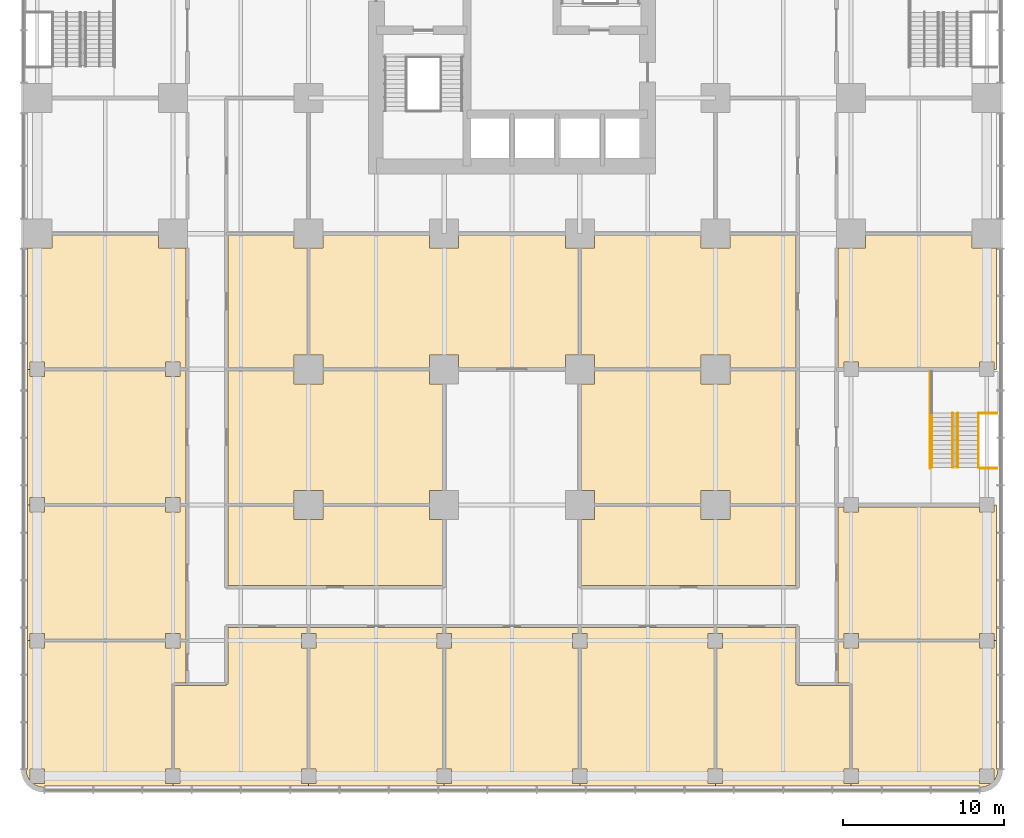
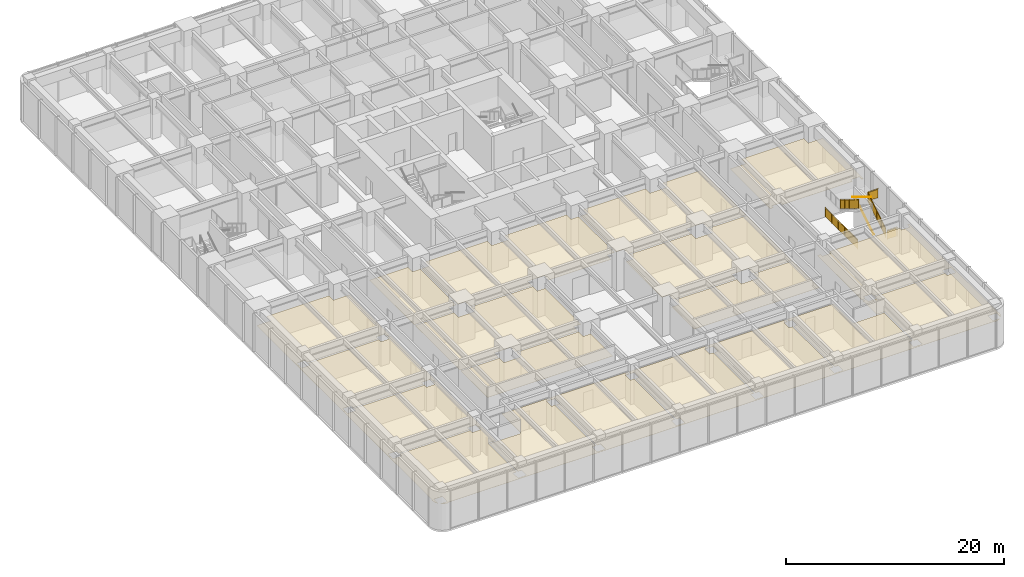
# One storey, part 16 of 19: 19 coverings, 7 railings.
"""IFC4 building model written with IfcOpenShell, lengths in metres."""

from ifc_helpers import new_model, si_unit, direction, frame, origin, origin_2d, place, context, subcontext, project, spatial, polyline, circle, outline, extrude, material, layer, layer_set, type_object, element, save


model = new_model("IFC4")

# Units and contexts
model_context = context("Model", 3, precision=1e-05, world=origin(), true_north=direction((0.0, 1.0)))
body_context = subcontext(model_context, "Body", "Model", "MODEL_VIEW")
ifc_project = project(units=[si_unit("LENGTHUNIT", "METRE"), si_unit("AREAUNIT", "SQUARE_METRE"), si_unit("VOLUMEUNIT", "CUBIC_METRE"), si_unit("PLANEANGLEUNIT", "RADIAN"), si_unit("MASSUNIT", "GRAM", prefix="KILO")], contexts=[model_context])

# Site, building, storey
site_placement = place(None, origin())
site = spatial("IfcSite", under=ifc_project, at=site_placement, CompositionType="ELEMENT")
building_placement = place(site_placement, origin())
building = spatial("IfcBuilding", under=site, at=building_placement, Name="Torre Alcanfor", CompositionType="ELEMENT")
storey_placement = place(building_placement, frame((0.0, 0.0, 6.0)))
storey = spatial("IfcBuildingStorey", under=building, at=storey_placement, Name="L01", CompositionType="ELEMENT", Elevation=6.0)

# Coverings
ifc_material_1 = material(Name="Mineral fibre acoustic tile 20 mm, NRC 0.70, on exposed suspension grid", Category="mineral fibre")
ifc_layer = layer(ifc_material_1, 0.02001953125)
ifc_layer_set = layer_set([ifc_layer], Name="Acoustic suspended ceiling 600x600 mineral fibre tile")
covering_type = type_object("IfcCoveringType", Name="Acoustic suspended ceiling 600x600 mineral fibre tile", PredefinedType="CEILING", material=ifc_layer_set)
covering_1_placement = place(storey_placement, frame((0.0, 0.0, 2.75)))
element("IfcCovering", 1, at=covering_1_placement, inside=storey, type_object=covering_type, Name="Ceiling L01-01", PredefinedType="CEILING", context=body_context, shape_type="SweptSolid", body=[
    extrude(outline(polyline([(8.85009765625, -17.25), (8.39990234375, -17.25), (8.39990234375, -17.425048828125), (16.800048828125, -17.425048828125), (16.800048828125, -17.25), (16.35009765625, -17.25), (16.35009765625, -16.35009765625), (16.72509765625, -16.35009765625), (16.72509765625, -8.85009765625), (16.35009765625, -8.85009765625), (16.35009765625, -7.949951171875), (16.72509765625, -7.949951171875), (16.72509765625, -7.60009765625), (11.800048828125, -7.60009765625), (11.800048828125, -11.10009765625), (11.699951171875, -11.10009765625), (11.699951171875, -11.199951171875), (9.300048828125, -11.199951171875), (9.300048828125, -11.175048828125), (8.47509765625, -11.175048828125), (8.47509765625, -16.35009765625), (8.85009765625, -16.35009765625), (8.85009765625, -17.25)])), origin(), (0.0, 0.0, 1.0), 0.02001953125),
])
covering_2_placement = place(storey_placement, frame((0.0, 0.0, 2.75)))
element("IfcCovering", 2, at=covering_2_placement, inside=storey, type_object=covering_type, Name="Ceiling L01-02", PredefinedType="CEILING", context=body_context, shape_type="SweptSolid", body=[
    extrude(outline(polyline([(49.949951171875, -17.25), (49.949951171875, -16.35009765625), (50.324951171875, -16.35009765625), (50.324951171875, -11.175048828125), (49.5, -11.175048828125), (49.5, -11.199951171875), (47.10009765625, -11.199951171875), (47.10009765625, -11.10009765625), (47.0, -11.10009765625), (47.0, -7.60009765625), (42.074951171875, -7.60009765625), (42.074951171875, -7.949951171875), (42.449951171875, -7.949951171875), (42.449951171875, -8.85009765625), (42.074951171875, -8.85009765625), (42.074951171875, -16.35009765625), (42.449951171875, -16.35009765625), (42.449951171875, -17.25), (42.0, -17.25), (42.0, -17.425048828125), (50.39990234375, -17.425048828125), (50.39990234375, -17.25), (49.949951171875, -17.25)])), origin(), (0.0, 0.0, 1.0), 0.02001953125),
])
covering_3_placement = place(storey_placement, frame((0.0, 0.0, 2.75)))
element("IfcCovering", 3, at=covering_3_placement, inside=storey, type_object=covering_type, Name="Ceiling L01-03", PredefinedType="CEILING", context=body_context, shape_type="SweptSolid", body=[
    extrude(outline(polyline([(-0.659912109375, -16.68408203125), (-0.55029296875, -16.94873046875), (-0.449951171875, -17.079345703125), (-0.449951171875, -16.35009765625), (0.449951171875, -16.35009765625), (0.449951171875, -17.25), (-0.279296875, -17.25), (-0.148681640625, -17.350341796875), (0.115966796875, -17.4599609375), (0.39990234375, -17.497314453125), (0.39990234375, -17.425048828125), (8.39990234375, -17.425048828125), (8.39990234375, -17.25), (7.949951171875, -17.25), (7.949951171875, -16.35009765625), (8.324951171875, -16.35009765625), (8.324951171875, -11.10009765625), (8.39990234375, -11.10009765625), (8.39990234375, -11.02490234375), (9.199951171875, -11.02490234375), (9.199951171875, -8.47509765625), (8.85009765625, -8.47509765625), (8.85009765625, -8.85009765625), (7.949951171875, -8.85009765625), (7.949951171875, -8.47509765625), (0.449951171875, -8.47509765625), (0.449951171875, -8.85009765625), (-0.449951171875, -8.85009765625), (-0.449951171875, -8.39990234375), (-0.625, -8.39990234375), (-0.625, -16.39990234375), (-0.697509765625, -16.39990234375), (-0.659912109375, -16.68408203125)])), origin(), (0.0, 0.0, 1.0), 0.02001953125),
])
covering_4_placement = place(storey_placement, frame((0.0, 0.0, 2.75)))
element("IfcCovering", 4, at=covering_4_placement, inside=storey, type_object=covering_type, Name="Ceiling L01-04", PredefinedType="CEILING", context=body_context, shape_type="SweptSolid", body=[
    extrude(outline(polyline([(59.25, -16.35009765625), (59.25, -17.079345703125), (59.350341796875, -16.94873046875), (59.4599609375, -16.68408203125), (59.497314453125, -16.39990234375), (59.425048828125, -16.39990234375), (59.425048828125, -8.39990234375), (59.25, -8.39990234375), (59.25, -8.85009765625), (58.35009765625, -8.85009765625), (58.35009765625, -8.47509765625), (50.85009765625, -8.47509765625), (50.85009765625, -8.85009765625), (49.949951171875, -8.85009765625), (49.949951171875, -8.47509765625), (49.60009765625, -8.47509765625), (49.60009765625, -11.02490234375), (50.39990234375, -11.02490234375), (50.39990234375, -11.10009765625), (50.47509765625, -11.10009765625), (50.47509765625, -16.35009765625), (50.85009765625, -16.35009765625), (50.85009765625, -17.25), (50.39990234375, -17.25), (50.39990234375, -17.425048828125), (58.39990234375, -17.425048828125), (58.39990234375, -17.497314453125), (58.68408203125, -17.4599609375), (58.94873046875, -17.350341796875), (59.079345703125, -17.25), (58.35009765625, -17.25), (58.35009765625, -16.35009765625), (59.25, -16.35009765625)])), origin(), (0.0, 0.0, 1.0), 0.02001953125),
])
covering_5_placement = place(storey_placement, frame((0.0, 0.0, 2.75)))
element("IfcCovering", 5, at=covering_5_placement, inside=storey, type_object=covering_type, Name="Ceiling L01-05", PredefinedType="CEILING", context=body_context, shape_type="SweptSolid", body=[
    extrude(outline(polyline([(24.75, -8.85009765625), (24.75, -7.949951171875), (25.125, -7.949951171875), (25.125, -7.60009765625), (16.875, -7.60009765625), (16.875, -7.949951171875), (17.25, -7.949951171875), (17.25, -8.85009765625), (16.875, -8.85009765625), (16.875, -16.35009765625), (17.25, -16.35009765625), (17.25, -17.25), (16.800048828125, -17.25), (16.800048828125, -17.425048828125), (25.199951171875, -17.425048828125), (25.199951171875, -17.25), (24.75, -17.25), (24.75, -16.35009765625), (25.125, -16.35009765625), (25.125, -8.85009765625), (24.75, -8.85009765625)])), origin(), (0.0, 0.0, 1.0), 0.02001953125),
])
covering_6_placement = place(storey_placement, frame((0.0, 0.0, 2.75)))
element("IfcCovering", 6, at=covering_6_placement, inside=storey, type_object=covering_type, Name="Ceiling L01-06", PredefinedType="CEILING", context=body_context, shape_type="SweptSolid", body=[
    extrude(outline(polyline([(33.14990234375, -8.85009765625), (33.14990234375, -7.949951171875), (33.52490234375, -7.949951171875), (33.52490234375, -7.60009765625), (25.27490234375, -7.60009765625), (25.27490234375, -7.949951171875), (25.64990234375, -7.949951171875), (25.64990234375, -8.85009765625), (25.27490234375, -8.85009765625), (25.27490234375, -16.35009765625), (25.64990234375, -16.35009765625), (25.64990234375, -17.25), (25.199951171875, -17.25), (25.199951171875, -17.425048828125), (33.60009765625, -17.425048828125), (33.60009765625, -17.25), (33.14990234375, -17.25), (33.14990234375, -16.35009765625), (33.52490234375, -16.35009765625), (33.52490234375, -8.85009765625), (33.14990234375, -8.85009765625)])), origin(), (0.0, 0.0, 1.0), 0.02001953125),
])
covering_7_placement = place(storey_placement, frame((0.0, 0.0, 2.75)))
element("IfcCovering", 7, at=covering_7_placement, inside=storey, type_object=covering_type, Name="Ceiling L01-07", PredefinedType="CEILING", context=body_context, shape_type="SweptSolid", body=[
    extrude(outline(polyline([(41.550048828125, -8.85009765625), (41.550048828125, -7.949951171875), (41.925048828125, -7.949951171875), (41.925048828125, -7.60009765625), (33.675048828125, -7.60009765625), (33.675048828125, -7.949951171875), (34.050048828125, -7.949951171875), (34.050048828125, -8.85009765625), (33.675048828125, -8.85009765625), (33.675048828125, -16.35009765625), (34.050048828125, -16.35009765625), (34.050048828125, -17.25), (33.60009765625, -17.25), (33.60009765625, -17.425048828125), (42.0, -17.425048828125), (42.0, -17.25), (41.550048828125, -17.25), (41.550048828125, -16.35009765625), (41.925048828125, -16.35009765625), (41.925048828125, -8.85009765625), (41.550048828125, -8.85009765625)])), origin(), (0.0, 0.0, 1.0), 0.02001953125),
])
covering_8_placement = place(storey_placement, frame((0.0, 0.0, 2.75)))
element("IfcCovering", 8, at=covering_8_placement, inside=storey, type_object=covering_type, Name="Ceiling L01-08", PredefinedType="CEILING", context=body_context, shape_type="SweptSolid", body=[
    extrude(outline(polyline([(-0.449951171875, -0.449951171875), (-0.449951171875, 0.0), (-0.625, 0.0), (-0.625, -8.39990234375), (-0.449951171875, -8.39990234375), (-0.449951171875, -7.949951171875), (0.449951171875, -7.949951171875), (0.449951171875, -8.324951171875), (7.949951171875, -8.324951171875), (7.949951171875, -7.949951171875), (8.85009765625, -7.949951171875), (8.85009765625, -8.324951171875), (9.199951171875, -8.324951171875), (9.199951171875, -0.074951171875), (8.85009765625, -0.074951171875), (8.85009765625, -0.449951171875), (7.949951171875, -0.449951171875), (7.949951171875, -0.074951171875), (0.449951171875, -0.074951171875), (0.449951171875, -0.449951171875), (-0.449951171875, -0.449951171875)])), origin(), (0.0, 0.0, 1.0), 0.02001953125),
])
covering_9_placement = place(storey_placement, frame((0.0, 0.0, 2.75)))
element("IfcCovering", 9, at=covering_9_placement, inside=storey, type_object=covering_type, Name="Ceiling L01-09", PredefinedType="CEILING", context=body_context, shape_type="SweptSolid", body=[
    extrude(outline(polyline([(59.25, -7.949951171875), (59.25, -8.39990234375), (59.425048828125, -8.39990234375), (59.425048828125, 0.0), (59.25, 0.0), (59.25, -0.449951171875), (58.35009765625, -0.449951171875), (58.35009765625, -0.125), (50.85009765625, -0.125), (50.85009765625, -0.449951171875), (49.949951171875, -0.449951171875), (49.949951171875, -0.125), (49.60009765625, -0.125), (49.60009765625, -8.324951171875), (49.949951171875, -8.324951171875), (49.949951171875, -7.949951171875), (50.85009765625, -7.949951171875), (50.85009765625, -8.324951171875), (58.35009765625, -8.324951171875), (58.35009765625, -7.949951171875), (59.25, -7.949951171875)])), origin(), (0.0, 0.0, 1.0), 0.02001953125),
])
covering_10_placement = place(storey_placement, frame((0.0, 0.0, 2.75)))
element("IfcCovering", 10, at=covering_10_placement, inside=storey, type_object=covering_type, Name="Ceiling L01-10", PredefinedType="CEILING", context=body_context, shape_type="SweptSolid", body=[
    extrude(outline(polyline([(-0.449951171875, 7.949951171875), (-0.449951171875, 8.39990234375), (-0.625, 8.39990234375), (-0.625, 0.0), (-0.449951171875, 0.0), (-0.449951171875, 0.449951171875), (0.449951171875, 0.449951171875), (0.449951171875, 0.074951171875), (7.949951171875, 0.074951171875), (7.949951171875, 0.449951171875), (8.85009765625, 0.449951171875), (8.85009765625, 0.074951171875), (9.199951171875, 0.074951171875), (9.199951171875, 8.324951171875), (8.85009765625, 8.324951171875), (8.85009765625, 7.949951171875), (7.949951171875, 7.949951171875), (7.949951171875, 8.324951171875), (0.449951171875, 8.324951171875), (0.449951171875, 7.949951171875), (-0.449951171875, 7.949951171875)])), origin(), (0.0, 0.0, 1.0), 0.02001953125),
])
covering_11_placement = place(storey_placement, frame((0.0, 0.0, 2.75)))
element("IfcCovering", 11, at=covering_11_placement, inside=storey, type_object=covering_type, Name="Ceiling L01-12", PredefinedType="CEILING", context=body_context, shape_type="SweptSolid", body=[
    extrude(outline(polyline([(0.89990234375, 16.72509765625), (0.89990234375, 15.89990234375), (-0.625, 15.89990234375), (-0.625, 8.39990234375), (-0.449951171875, 8.39990234375), (-0.449951171875, 8.85009765625), (0.449951171875, 8.85009765625), (0.449951171875, 8.47509765625), (7.949951171875, 8.47509765625), (7.949951171875, 8.85009765625), (8.85009765625, 8.85009765625), (8.85009765625, 8.47509765625), (9.199951171875, 8.47509765625), (9.199951171875, 15.89990234375), (7.5, 15.89990234375), (7.5, 16.72509765625), (0.89990234375, 16.72509765625)])), origin(), (0.0, 0.0, 1.0), 0.02001953125),
])
covering_12_placement = place(storey_placement, frame((0.0, 0.0, 2.75)))
element("IfcCovering", 12, at=covering_12_placement, inside=storey, type_object=covering_type, Name="Ceiling L01-13", PredefinedType="CEILING", context=body_context, shape_type="SweptSolid", body=[
    extrude(outline(polyline([(59.25, 8.85009765625), (59.25, 8.39990234375), (59.425048828125, 8.39990234375), (59.425048828125, 15.89990234375), (57.89990234375, 15.89990234375), (57.89990234375, 16.72509765625), (51.300048828125, 16.72509765625), (51.300048828125, 15.89990234375), (49.60009765625, 15.89990234375), (49.60009765625, 8.52490234375), (49.949951171875, 8.52490234375), (49.949951171875, 8.85009765625), (50.85009765625, 8.85009765625), (50.85009765625, 8.52490234375), (58.35009765625, 8.52490234375), (58.35009765625, 8.85009765625), (59.25, 8.85009765625)])), origin(), (0.0, 0.0, 1.0), 0.02001953125),
])
covering_13_placement = place(storey_placement, frame((0.0, 0.0, 3.0)))
element("IfcCovering", 13, at=covering_13_placement, inside=storey, type_object=covering_type, Name="Ceiling L01-I01", PredefinedType="CEILING", context=body_context, shape_type="SweptSolid", body=[
    extrude(outline(polyline([(17.699951171875, -0.89990234375), (15.89990234375, -0.89990234375), (15.89990234375, -0.074951171875), (11.800048828125, -0.074951171875), (11.800048828125, -5.0), (25.10009765625, -5.0), (25.10009765625, -0.89990234375), (24.300048828125, -0.89990234375), (24.300048828125, -0.074951171875), (17.699951171875, -0.074951171875), (17.699951171875, -0.89990234375)])), origin(), (0.0, 0.0, 1.0), 0.02001953125),
])
covering_14_placement = place(storey_placement, frame((0.0, 0.0, 3.0)))
element("IfcCovering", 14, at=covering_14_placement, inside=storey, type_object=covering_type, Name="Ceiling L01-I02", PredefinedType="CEILING", context=body_context, shape_type="SweptSolid", body=[
    extrude(outline(polyline([(34.5, -0.074951171875), (34.5, -0.89990234375), (33.699951171875, -0.89990234375), (33.699951171875, -5.0), (47.0, -5.0), (47.0, -0.074951171875), (42.89990234375, -0.074951171875), (42.89990234375, -0.89990234375), (41.10009765625, -0.89990234375), (41.10009765625, -0.074951171875), (34.5, -0.074951171875)])), origin(), (0.0, 0.0, 1.0), 0.02001953125),
])
covering_15_placement = place(storey_placement, frame((0.0, 0.0, 3.0)))
element("IfcCovering", 15, at=covering_15_placement, inside=storey, type_object=covering_type, Name="Ceiling L01-I03", PredefinedType="CEILING", context=body_context, shape_type="SweptSolid", body=[
    extrude(outline(polyline([(17.699951171875, 7.5), (15.89990234375, 7.5), (15.89990234375, 8.324951171875), (11.800048828125, 8.324951171875), (11.800048828125, 0.074951171875), (15.89990234375, 0.074951171875), (15.89990234375, 0.89990234375), (17.699951171875, 0.89990234375), (17.699951171875, 0.074951171875), (24.300048828125, 0.074951171875), (24.300048828125, 0.89990234375), (25.10009765625, 0.89990234375), (25.10009765625, 7.5), (24.300048828125, 7.5), (24.300048828125, 8.324951171875), (17.699951171875, 8.324951171875), (17.699951171875, 7.5)])), origin(), (0.0, 0.0, 1.0), 0.02001953125),
])
covering_16_placement = place(storey_placement, frame((0.0, 0.0, 3.0)))
element("IfcCovering", 16, at=covering_16_placement, inside=storey, type_object=covering_type, Name="Ceiling L01-I04", PredefinedType="CEILING", context=body_context, shape_type="SweptSolid", body=[
    extrude(outline(polyline([(42.89990234375, 7.5), (41.10009765625, 7.5), (41.10009765625, 8.324951171875), (34.5, 8.324951171875), (34.5, 7.5), (33.699951171875, 7.5), (33.699951171875, 0.89990234375), (34.5, 0.89990234375), (34.5, 0.074951171875), (41.10009765625, 0.074951171875), (41.10009765625, 0.89990234375), (42.89990234375, 0.89990234375), (42.89990234375, 0.074951171875), (47.0, 0.074951171875), (47.0, 8.324951171875), (42.89990234375, 8.324951171875), (42.89990234375, 7.5)])), origin(), (0.0, 0.0, 1.0), 0.02001953125),
])
covering_17_placement = place(storey_placement, frame((0.0, 0.0, 3.0)))
element("IfcCovering", 17, at=covering_17_placement, inside=storey, type_object=covering_type, Name="Ceiling L01-I05", PredefinedType="CEILING", context=body_context, shape_type="SweptSolid", body=[
    extrude(outline(polyline([(16.72509765625, 15.89990234375), (15.89990234375, 15.89990234375), (15.89990234375, 16.72509765625), (11.800048828125, 16.72509765625), (11.800048828125, 8.47509765625), (15.89990234375, 8.47509765625), (15.89990234375, 9.300048828125), (16.72509765625, 9.300048828125), (16.72509765625, 15.89990234375)])), origin(), (0.0, 0.0, 1.0), 0.02001953125),
])
covering_18_placement = place(storey_placement, frame((0.0, 0.0, 3.0)))
element("IfcCovering", 18, at=covering_18_placement, inside=storey, type_object=covering_type, Name="Ceiling L01-I06", PredefinedType="CEILING", context=body_context, shape_type="SweptSolid", body=[
    extrude(outline(polyline([(26.10009765625, 15.89990234375), (24.300048828125, 15.89990234375), (24.300048828125, 16.699951171875), (17.699951171875, 16.699951171875), (17.699951171875, 15.89990234375), (16.875, 15.89990234375), (16.875, 9.300048828125), (17.699951171875, 9.300048828125), (17.699951171875, 8.47509765625), (24.300048828125, 8.47509765625), (24.300048828125, 9.300048828125), (26.10009765625, 9.300048828125), (26.10009765625, 8.5), (32.699951171875, 8.5), (32.699951171875, 9.300048828125), (33.52490234375, 9.300048828125), (33.52490234375, 15.89990234375), (32.699951171875, 15.89990234375), (32.699951171875, 16.699951171875), (26.10009765625, 16.699951171875), (26.10009765625, 15.89990234375)])), origin(), (0.0, 0.0, 1.0), 0.02001953125),
])
covering_19_placement = place(storey_placement, frame((0.0, 0.0, 3.0)))
element("IfcCovering", 19, at=covering_19_placement, inside=storey, type_object=covering_type, Name="Ceiling L01-I07", PredefinedType="CEILING", context=body_context, shape_type="SweptSolid", body=[
    extrude(outline(polyline([(42.89990234375, 15.89990234375), (41.10009765625, 15.89990234375), (41.10009765625, 16.699951171875), (34.5, 16.699951171875), (34.5, 15.89990234375), (33.675048828125, 15.89990234375), (33.675048828125, 9.300048828125), (34.5, 9.300048828125), (34.5, 8.47509765625), (41.10009765625, 8.47509765625), (41.10009765625, 9.300048828125), (42.89990234375, 9.300048828125), (42.89990234375, 8.47509765625), (47.0, 8.47509765625), (47.0, 16.72509765625), (42.89990234375, 16.72509765625), (42.89990234375, 15.89990234375)])), origin(), (0.0, 0.0, 1.0), 0.02001953125),
])

# Railings
ifc_material_2 = material(Name="Steel ASTM A500 Grade C hollow sections", Category="steel")
railing_type_1 = type_object("IfcRailingType", Name="Stair guard and handrail 1100", PredefinedType="GUARDRAIL", material=ifc_material_2)
railing_1_placement = place(storey_placement, frame((55.300048828125, 2.27490234375, 0.0)))
element("IfcRailing", 20, at=railing_1_placement, inside=storey, type_object=railing_type_1, Name="Stair well guard SS3 L01 door side", PredefinedType="GUARDRAIL", context=body_context, shape_type="SweptSolid", body=[
    extrude(circle(Radius=0.02392578125, at=origin_2d()), frame((0.0, 0.0, 1.076171875), z_axis=(0.0, 1.0, 0.0), x_axis=(-1.0, 0.0, 0.0)), (0.0, 0.0, 1.0), 5.989990234375),
    extrude(circle(Radius=0.02099609375, at=origin_2d()), origin(), (0.0, 0.0, 1.0), 1.052001953125),
    extrude(circle(Radius=0.02099609375, at=origin_2d()), frame((0.0, 1.197998046875, 0.0)), (0.0, 0.0, 1.0), 1.052001953125),
    extrude(circle(Radius=0.02099609375, at=origin_2d()), frame((0.0, 2.39599609375, 0.0)), (0.0, 0.0, 1.0), 1.052001953125),
    extrude(circle(Radius=0.02099609375, at=origin_2d()), frame((0.0, 3.593994140625, 0.0)), (0.0, 0.0, 1.0), 1.052001953125),
    extrude(circle(Radius=0.02099609375, at=origin_2d()), frame((0.0, 4.7919921875, 0.0)), (0.0, 0.0, 1.0), 1.052001953125),
    extrude(circle(Radius=0.02099609375, at=origin_2d()), frame((0.0, 5.989990234375, 0.0)), (0.0, 0.0, 1.0), 1.052001953125),
    extrude(outline(polyline([(0.041015625, 0.050048828125), (1.156982421875, 0.050048828125), (1.156982421875, 1.001953125), (0.041015625, 1.001953125), (0.041015625, 0.050048828125)])), frame((-0.005859375, 0.0, 0.0), z_axis=(1.0, 0.0, 0.0), x_axis=(0.0, 1.0, 0.0)), (0.0, 0.0, 1.0), 0.011962890625),
    extrude(outline(polyline([(1.239013671875, 0.050048828125), (2.35498046875, 0.050048828125), (2.35498046875, 1.001953125), (1.239013671875, 1.001953125), (1.239013671875, 0.050048828125)])), frame((-0.005859375, 0.0, 0.0), z_axis=(1.0, 0.0, 0.0), x_axis=(0.0, 1.0, 0.0)), (0.0, 0.0, 1.0), 0.011962890625),
    extrude(outline(polyline([(2.43701171875, 0.050048828125), (3.552978515625, 0.050048828125), (3.552978515625, 1.001953125), (2.43701171875, 1.001953125), (2.43701171875, 0.050048828125)])), frame((-0.005859375, 0.0, 0.0), z_axis=(1.0, 0.0, 0.0), x_axis=(0.0, 1.0, 0.0)), (0.0, 0.0, 1.0), 0.011962890625),
    extrude(outline(polyline([(3.635009765625, 0.050048828125), (4.7509765625, 0.050048828125), (4.7509765625, 1.001953125), (3.635009765625, 1.001953125), (3.635009765625, 0.050048828125)])), frame((-0.005859375, 0.0, 0.0), z_axis=(1.0, 0.0, 0.0), x_axis=(0.0, 1.0, 0.0)), (0.0, 0.0, 1.0), 0.011962890625),
    extrude(outline(polyline([(4.8330078125, 0.050048828125), (5.948974609375, 0.050048828125), (5.948974609375, 1.001953125), (4.8330078125, 1.001953125), (4.8330078125, 0.050048828125)])), frame((-0.005859375, 0.0, 0.0), z_axis=(1.0, 0.0, 0.0), x_axis=(0.0, 1.0, 0.0)), (0.0, 0.0, 1.0), 0.011962890625),
])
railing_2_placement = place(storey_placement, frame((59.449951171875, 2.27490234375, 0.0)))
element("IfcRailing", 21, at=railing_2_placement, inside=storey, type_object=railing_type_1, Name="Stair well guard SS3 L01 facade strip", PredefinedType="GUARDRAIL", context=body_context, shape_type="SweptSolid", body=[
    extrude(circle(Radius=0.02392578125, at=origin_2d()), frame((0.0, 0.0, 1.076171875), z_axis=(-1.0, 0.0, 0.0), x_axis=(0.0, -1.0, 0.0)), (0.0, 0.0, 1.0), 1.050048828125),
    extrude(circle(Radius=0.02099609375, at=origin_2d()), origin(), (0.0, 0.0, 1.0), 1.052001953125),
    extrude(circle(Radius=0.02099609375, at=origin_2d()), frame((-1.050048828125, 0.0, 0.0)), (0.0, 0.0, 1.0), 1.052001953125),
    extrude(outline(polyline([(0.041015625, 0.050048828125), (1.009033203125, 0.050048828125), (1.009033203125, 1.001953125), (0.041015625, 1.001953125), (0.041015625, 0.050048828125)])), frame((0.0, -0.005859375, 0.0), z_axis=(0.0, 1.0, 0.0), x_axis=(-1.0, 0.0, 0.0)), (0.0, 0.0, 1.0), 0.011962890625),
])
railing_3_placement = place(storey_placement, frame((58.300048828125, 2.324951171875, 0.173095703125)))
element("IfcRailing", 22, at=railing_3_placement, inside=storey, type_object=railing_type_1, Name="Stair guard SS3 L01 flight 1", PredefinedType="GUARDRAIL", context=body_context, shape_type="SweptSolid", body=[
    extrude(circle(Radius=0.02392578125, at=origin_2d()), frame((0.0, 0.0, 1.076171875), z_axis=(0.0, 0.850623216509, 0.525775754039), x_axis=(-1.0, 0.0, 0.0)), (0.0, 0.0, 1.0), 3.9501953125),
    extrude(circle(Radius=0.02099609375, at=origin_2d()), origin(), (0.0, 0.0, 1.0), 1.052001953125),
    extrude(circle(Radius=0.02099609375, at=origin_2d()), frame((0.0, 0.840087890625, 0.519287109375)), (0.0, 0.0, 1.0), 1.052001953125),
    extrude(circle(Radius=0.02099609375, at=origin_2d()), frame((0.0, 1.68017578125, 1.03857421875)), (0.0, 0.0, 1.0), 1.052001953125),
    extrude(circle(Radius=0.02099609375, at=origin_2d()), frame((0.0, 2.52001953125, 1.5576171875)), (0.0, 0.0, 1.0), 1.052001953125),
    extrude(circle(Radius=0.02099609375, at=origin_2d()), frame((0.0, 3.360107421875, 2.076904296875)), (0.0, 0.0, 1.0), 1.052001953125),
    extrude(outline(polyline([(0.041015625, 0.075439453125), (0.799072265625, 0.5439453125), (0.799072265625, 1.495849609375), (0.041015625, 1.02734375), (0.041015625, 0.075439453125)])), frame((-0.005859375, 0.0, 0.0), z_axis=(1.0, 0.0, 0.0), x_axis=(0.0, 1.0, 0.0)), (0.0, 0.0, 1.0), 0.011962890625),
    extrude(outline(polyline([(0.881103515625, 0.594482421875), (1.63916015625, 1.06298828125), (1.63916015625, 2.01513671875), (0.881103515625, 1.546630859375), (0.881103515625, 0.594482421875)])), frame((-0.005859375, 0.0, 0.0), z_axis=(1.0, 0.0, 0.0), x_axis=(0.0, 1.0, 0.0)), (0.0, 0.0, 1.0), 0.011962890625),
    extrude(outline(polyline([(1.720947265625, 1.11376953125), (2.47900390625, 1.582275390625), (2.47900390625, 2.534423828125), (1.720947265625, 2.065673828125), (1.720947265625, 1.11376953125)])), frame((-0.005859375, 0.0, 0.0), z_axis=(1.0, 0.0, 0.0), x_axis=(0.0, 1.0, 0.0)), (0.0, 0.0, 1.0), 0.011962890625),
    extrude(outline(polyline([(2.56103515625, 1.633056640625), (3.319091796875, 2.1015625), (3.319091796875, 3.053466796875), (2.56103515625, 2.5849609375), (2.56103515625, 1.633056640625)])), frame((-0.005859375, 0.0, 0.0), z_axis=(1.0, 0.0, 0.0), x_axis=(0.0, 1.0, 0.0)), (0.0, 0.0, 1.0), 0.011962890625),
])
railing_4_placement = place(storey_placement, frame((55.39990234375, 5.68505859375, 2.423095703125)))
element("IfcRailing", 23, at=railing_4_placement, inside=storey, type_object=railing_type_1, Name="Stair guard SS3 L01 flight 2", PredefinedType="GUARDRAIL", context=body_context, shape_type="SweptSolid", body=[
    extrude(circle(Radius=0.02392578125, at=origin_2d()), frame((0.0, 0.0, 1.076171875), z_axis=(0.0, -0.850623216509, 0.525775754039), x_axis=(1.0, 0.0, 0.0)), (0.0, 0.0, 1.0), 3.9501953125),
    extrude(circle(Radius=0.02099609375, at=origin_2d()), origin(), (0.0, 0.0, 1.0), 1.052001953125),
    extrude(circle(Radius=0.02099609375, at=origin_2d()), frame((0.0, -0.840087890625, 0.519287109375)), (0.0, 0.0, 1.0), 1.052001953125),
    extrude(circle(Radius=0.02099609375, at=origin_2d()), frame((0.0, -1.68017578125, 1.03857421875)), (0.0, 0.0, 1.0), 1.052001953125),
    extrude(circle(Radius=0.02099609375, at=origin_2d()), frame((0.0, -2.52001953125, 1.5576171875)), (0.0, 0.0, 1.0), 1.052001953125),
    extrude(circle(Radius=0.02099609375, at=origin_2d()), frame((0.0, -3.360107421875, 2.076904296875)), (0.0, 0.0, 1.0), 1.052001953125),
    extrude(outline(polyline([(0.041015625, 0.075439453125), (0.799072265625, 0.5439453125), (0.799072265625, 1.495849609375), (0.041015625, 1.02734375), (0.041015625, 0.075439453125)])), frame((0.005859375, 0.0, 0.0), z_axis=(-1.0, 0.0, 0.0), x_axis=(0.0, -1.0, 0.0)), (0.0, 0.0, 1.0), 0.011962890625),
    extrude(outline(polyline([(0.881103515625, 0.594482421875), (1.63916015625, 1.06298828125), (1.63916015625, 2.01513671875), (0.881103515625, 1.546630859375), (0.881103515625, 0.594482421875)])), frame((0.005859375, 0.0, 0.0), z_axis=(-1.0, 0.0, 0.0), x_axis=(0.0, -1.0, 0.0)), (0.0, 0.0, 1.0), 0.011962890625),
    extrude(outline(polyline([(1.720947265625, 1.11376953125), (2.47900390625, 1.582275390625), (2.47900390625, 2.534423828125), (1.720947265625, 2.065673828125), (1.720947265625, 1.11376953125)])), frame((0.005859375, 0.0, 0.0), z_axis=(-1.0, 0.0, 0.0), x_axis=(0.0, -1.0, 0.0)), (0.0, 0.0, 1.0), 0.011962890625),
    extrude(outline(polyline([(2.56103515625, 1.633056640625), (3.319091796875, 2.1015625), (3.319091796875, 3.053466796875), (2.56103515625, 2.5849609375), (2.56103515625, 1.633056640625)])), frame((0.005859375, 0.0, 0.0), z_axis=(-1.0, 0.0, 0.0), x_axis=(0.0, -1.0, 0.0)), (0.0, 0.0, 1.0), 0.011962890625),
])
railing_5_placement = place(storey_placement, frame((59.449951171875, 5.68505859375, 2.25)))
element("IfcRailing", 24, at=railing_5_placement, inside=storey, type_object=railing_type_1, Name="Stair guard SS3 L01 half landing facade strip", PredefinedType="GUARDRAIL", context=body_context, shape_type="SweptSolid", body=[
    extrude(circle(Radius=0.02392578125, at=origin_2d()), frame((0.0, 0.0, 1.076171875), z_axis=(-1.0, 0.0, 0.0), x_axis=(0.0, -1.0, 0.0)), (0.0, 0.0, 1.0), 1.099853515625),
    extrude(circle(Radius=0.02099609375, at=origin_2d()), origin(), (0.0, 0.0, 1.0), 1.052001953125),
    extrude(circle(Radius=0.02099609375, at=origin_2d()), frame((-1.099853515625, 0.0, 0.0)), (0.0, 0.0, 1.0), 1.052001953125),
    extrude(outline(polyline([(0.041015625, 0.050048828125), (1.058837890625, 0.050048828125), (1.058837890625, 1.001953125), (0.041015625, 1.001953125), (0.041015625, 0.050048828125)])), frame((0.0, -0.005859375, 0.0), z_axis=(0.0, 1.0, 0.0), x_axis=(-1.0, 0.0, 0.0)), (0.0, 0.0, 1.0), 0.011962890625),
])
ifc_material_3 = material(Name="Steel ASTM A500 Grade C hollow sections", Category="steel")
railing_type_2 = type_object("IfcRailingType", Name="Stair wall handrail 900", PredefinedType="HANDRAIL", material=ifc_material_3)
railing_6_placement = place(storey_placement, frame((57.014892578125, 2.324951171875, 0.173095703125)))
element("IfcRailing", 25, at=railing_6_placement, inside=storey, type_object=railing_type_2, Name="Stair handrail SS3 L01 flight 1", PredefinedType="HANDRAIL", context=body_context, shape_type="SweptSolid", body=[
    extrude(circle(Radius=0.02392578125, at=origin_2d()), frame((0.0, 0.0, 0.8759765625), z_axis=(0.0, 0.850623216509, 0.525775754039), x_axis=(-1.0, 0.0, 0.0)), (0.0, 0.0, 1.0), 3.9501953125),
    extrude(circle(Radius=0.008056640625, at=origin_2d()), frame((0.0, 0.0, 0.8759765625), z_axis=(-1.0, 0.0, 0.0), x_axis=(0.0, 0.0, 1.0)), (0.0, 0.0, 1.0), 0.06494140625),
    extrude(circle(Radius=0.008056640625, at=origin_2d()), frame((0.0, 0.840087890625, 1.39501953125), z_axis=(-1.0, 0.0, 0.0), x_axis=(0.0, 0.0, 1.0)), (0.0, 0.0, 1.0), 0.06494140625),
    extrude(circle(Radius=0.008056640625, at=origin_2d()), frame((0.0, 1.68017578125, 1.914306640625), z_axis=(-1.0, 0.0, 0.0), x_axis=(0.0, 0.0, 1.0)), (0.0, 0.0, 1.0), 0.06494140625),
    extrude(circle(Radius=0.008056640625, at=origin_2d()), frame((0.0, 2.52001953125, 2.43359375), z_axis=(-1.0, 0.0, 0.0), x_axis=(0.0, 0.0, 1.0)), (0.0, 0.0, 1.0), 0.06494140625),
    extrude(circle(Radius=0.008056640625, at=origin_2d()), frame((0.0, 3.360107421875, 2.95263671875), z_axis=(-1.0, 0.0, 0.0), x_axis=(0.0, 0.0, 1.0)), (0.0, 0.0, 1.0), 0.06494140625),
])
railing_7_placement = place(storey_placement, frame((56.68505859375, 5.68505859375, 2.423095703125)))
element("IfcRailing", 26, at=railing_7_placement, inside=storey, type_object=railing_type_2, Name="Stair handrail SS3 L01 flight 2", PredefinedType="HANDRAIL", context=body_context, shape_type="SweptSolid", body=[
    extrude(circle(Radius=0.02392578125, at=origin_2d()), frame((0.0, 0.0, 0.8759765625), z_axis=(0.0, -0.850623216509, 0.525775754039), x_axis=(1.0, 0.0, 0.0)), (0.0, 0.0, 1.0), 3.9501953125),
    extrude(circle(Radius=0.008056640625, at=origin_2d()), frame((0.0, 0.0, 0.8759765625), z_axis=(1.0, 0.0, 0.0), x_axis=(0.0, 0.0, 1.0)), (0.0, 0.0, 1.0), 0.06494140625),
    extrude(circle(Radius=0.008056640625, at=origin_2d()), frame((0.0, -0.840087890625, 1.39501953125), z_axis=(1.0, 0.0, 0.0), x_axis=(0.0, 0.0, 1.0)), (0.0, 0.0, 1.0), 0.06494140625),
    extrude(circle(Radius=0.008056640625, at=origin_2d()), frame((0.0, -1.68017578125, 1.914306640625), z_axis=(1.0, 0.0, 0.0), x_axis=(0.0, 0.0, 1.0)), (0.0, 0.0, 1.0), 0.06494140625),
    extrude(circle(Radius=0.008056640625, at=origin_2d()), frame((0.0, -2.52001953125, 2.43359375), z_axis=(1.0, 0.0, 0.0), x_axis=(0.0, 0.0, 1.0)), (0.0, 0.0, 1.0), 0.06494140625),
    extrude(circle(Radius=0.008056640625, at=origin_2d()), frame((0.0, -3.360107421875, 2.95263671875), z_axis=(1.0, 0.0, 0.0), x_axis=(0.0, 0.0, 1.0)), (0.0, 0.0, 1.0), 0.06494140625),
])

save(model, "model.ifc")
